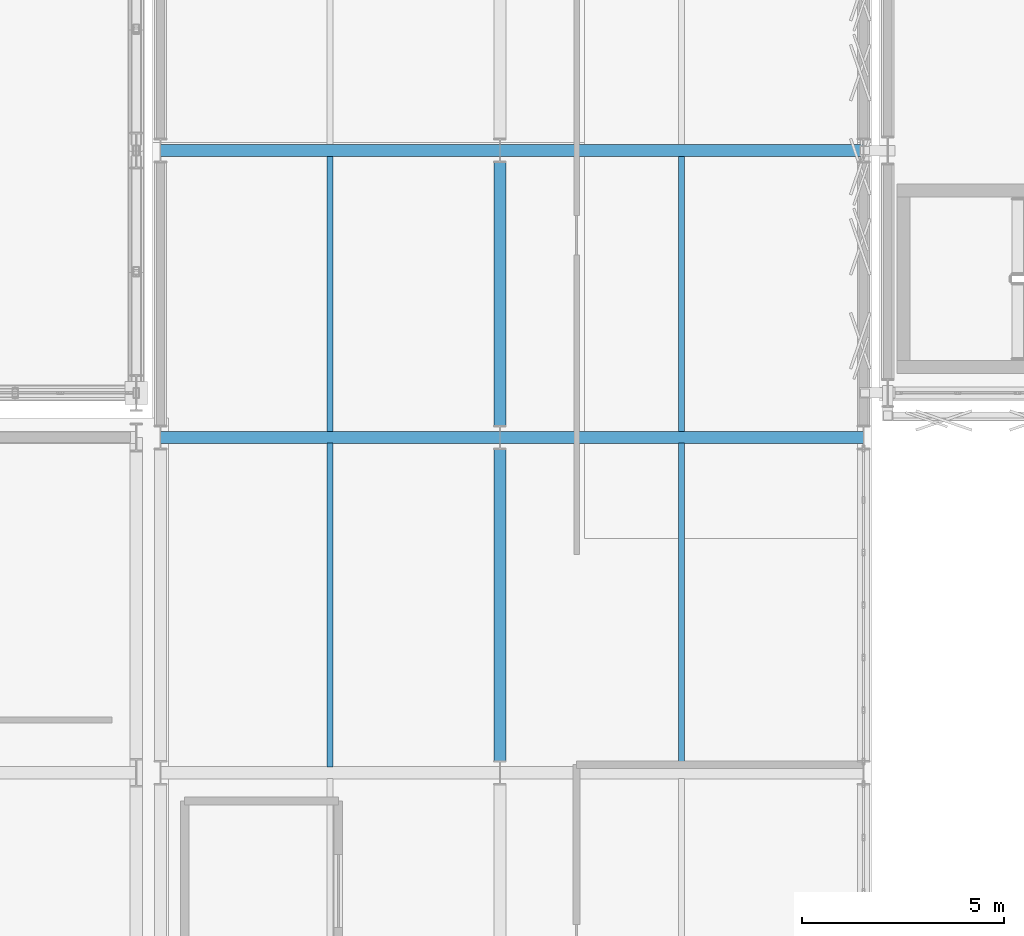
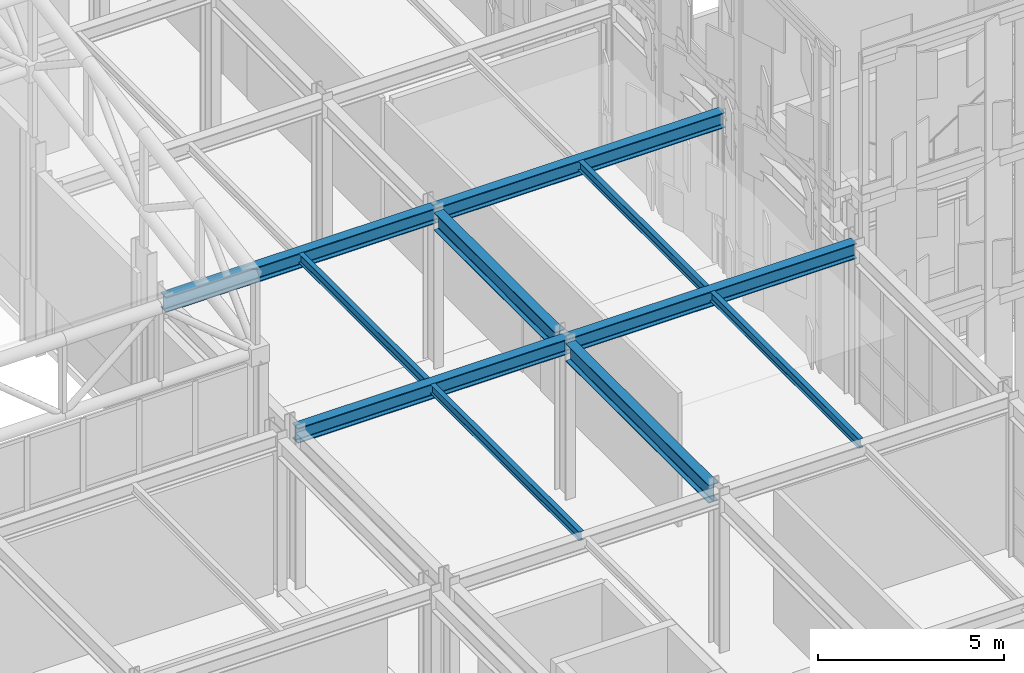
# One storey, part 155 of 239: 10 beams.
"""IFC4 building model written with IfcOpenShell, lengths in metres."""

from ifc_helpers import new_model, si_unit, direction, frame, origin, origin_2d, place, context, subcontext, project, spatial, i_section, extrude, material, material_profile, profile_set, type_object, element, save


model = new_model("IFC4")

# Units and contexts
model_context = context("Model", 3, precision=1e-05, world=origin(), true_north=direction((0.0, 1.0)))
body_context = subcontext(model_context, "Body", "Model", "MODEL_VIEW")
ifc_project = project(units=[si_unit("LENGTHUNIT", "METRE"), si_unit("AREAUNIT", "SQUARE_METRE"), si_unit("VOLUMEUNIT", "CUBIC_METRE"), si_unit("PLANEANGLEUNIT", "RADIAN"), si_unit("MASSUNIT", "GRAM", prefix="KILO")], contexts=[model_context])

# Site, building, storey
site_placement = place(None, origin())
site = spatial("IfcSite", under=ifc_project, at=site_placement, CompositionType="ELEMENT")
building_placement = place(site_placement, origin())
building = spatial("IfcBuilding", under=site, at=building_placement, Name="Kaldris Quays Convention Centre", CompositionType="ELEMENT")
storey_placement = place(building_placement, frame((0.0, 0.0, 11.39990234375)))
storey = spatial("IfcBuildingStorey", under=building, at=storey_placement, Name="L02", CompositionType="ELEMENT", Elevation=11.39990234375)

# Beams
ifc_material = material(Name="Steel S355J2", Category="steel")
ifc_material_profile_1 = material_profile(ifc_material, i_section(OverallWidth=0.300048828125, OverallDepth=0.5, WebThickness=0.014404296875, FlangeThickness=0.028076171875, FilletRadius=0.027099609375, at=origin_2d()), Name="HEB 500")
ifc_profile_set_1 = profile_set([ifc_material_profile_1], Name="Steel S355J2")
beam_type_1 = type_object("IfcBeamType", Name="STRUCTURAL BEAM BM06", PredefinedType="BEAM", material=ifc_profile_set_1)
beam_1_placement = place(storey_placement, frame((146.601806640625, 54.89990234375, 4.9130859375), z_axis=(1.0, 0.0, 0.0), x_axis=(0.0, 1.0, 0.0)))
element("IfcBeam", 1, at=beam_1_placement, inside=storey, type_object=beam_type_1, Name="L02 Girder BM06 26", PredefinedType="BEAM", context=body_context, shape_type="SweptSolid", body=[
    extrude(i_section(OverallWidth=0.300048828125, OverallDepth=0.5, WebThickness=0.014404296875, FlangeThickness=0.028076171875, FilletRadius=0.027099609375, at=origin_2d()), origin(), (0.0, 0.0, 1.0), 8.396484375),
])
beam_2_placement = place(storey_placement, frame((155.001708984375, 54.89990234375, 4.9130859375), z_axis=(1.0, 0.0, 0.0), x_axis=(0.0, 1.0, 0.0)))
element("IfcBeam", 2, at=beam_2_placement, inside=storey, type_object=beam_type_1, Name="L02 Girder BM06 27", PredefinedType="BEAM", context=body_context, shape_type="SweptSolid", body=[
    extrude(i_section(OverallWidth=0.300048828125, OverallDepth=0.5, WebThickness=0.014404296875, FlangeThickness=0.028076171875, FilletRadius=0.027099609375, at=origin_2d()), origin(), (0.0, 0.0, 1.0), 8.99658203125),
])
beam_3_placement = place(storey_placement, frame((146.601806640625, 62.0, 4.9130859375), z_axis=(1.0, 0.0, 0.0), x_axis=(0.0, 1.0, 0.0)))
element("IfcBeam", 3, at=beam_3_placement, inside=storey, type_object=beam_type_1, Name="L02 Girder BM06 28", PredefinedType="BEAM", context=body_context, shape_type="SweptSolid", body=[
    extrude(i_section(OverallWidth=0.300048828125, OverallDepth=0.5, WebThickness=0.014404296875, FlangeThickness=0.028076171875, FilletRadius=0.027099609375, at=origin_2d()), origin(), (0.0, 0.0, 1.0), 8.396484375),
])
beam_4_placement = place(storey_placement, frame((155.001708984375, 62.0, 4.9130859375), z_axis=(1.0, 0.0, 0.0), x_axis=(0.0, 1.0, 0.0)))
element("IfcBeam", 4, at=beam_4_placement, inside=storey, type_object=beam_type_1, Name="L02 Girder BM06 29", PredefinedType="BEAM", context=body_context, shape_type="SweptSolid", body=[
    extrude(i_section(OverallWidth=0.300048828125, OverallDepth=0.5, WebThickness=0.014404296875, FlangeThickness=0.028076171875, FilletRadius=0.027099609375, at=origin_2d()), origin(), (0.0, 0.0, 1.0), 8.99658203125),
])
ifc_material_profile_2 = material_profile(ifc_material, i_section(OverallWidth=0.300048828125, OverallDepth=0.590087890625, WebThickness=0.012939453125, FlangeThickness=0.02490234375, FilletRadius=0.027099609375, at=origin_2d()), Name="HEA 600")
ifc_profile_set_2 = profile_set([ifc_material_profile_2], Name="Steel S355J2")
beam_type_2 = type_object("IfcBeamType", Name="STRUCTURAL BEAM BM08", PredefinedType="BEAM", material=ifc_profile_set_2)
beam_5_placement = place(storey_placement, frame((155.0, 46.89404296875, 4.8681640625), z_axis=(0.0, 1.0, 0.0), x_axis=(-1.0, 0.0, 0.0)))
element("IfcBeam", 5, at=beam_5_placement, inside=storey, type_object=beam_type_2, Name="L02 Girder BM08 79", PredefinedType="BEAM", context=body_context, shape_type="SweptSolid", body=[
    extrude(i_section(OverallWidth=0.300048828125, OverallDepth=0.590087890625, WebThickness=0.012939453125, FlangeThickness=0.02490234375, FilletRadius=0.027099609375, at=origin_2d()), origin(), (0.0, 0.0, 1.0), 7.7119140625),
])
beam_6_placement = place(storey_placement, frame((155.0, 55.194091796875, 4.8681640625), z_axis=(0.0, 1.0, 0.0), x_axis=(-1.0, 0.0, 0.0)))
element("IfcBeam", 6, at=beam_6_placement, inside=storey, type_object=beam_type_2, Name="L02 Girder BM08 80", PredefinedType="BEAM", context=body_context, shape_type="SweptSolid", body=[
    extrude(i_section(OverallWidth=0.300048828125, OverallDepth=0.590087890625, WebThickness=0.012939453125, FlangeThickness=0.02490234375, FilletRadius=0.027099609375, at=origin_2d()), origin(), (0.0, 0.0, 1.0), 6.511962890625),
])
ifc_material_profile_3 = material_profile(ifc_material, i_section(OverallWidth=0.14990234375, OverallDepth=0.300048828125, WebThickness=0.007080078125, FlangeThickness=0.0107421875, FilletRadius=0.014892578125, at=origin_2d()), Name="IPE 300")
ifc_profile_set_3 = profile_set([ifc_material_profile_3], Name="Steel S355J2")
beam_type_3 = type_object("IfcBeamType", Name="STRUCTURAL BEAM JT04", PredefinedType="JOIST", material=ifc_profile_set_3)
for number, where, z_axis, x_axis, name in (
    (7, (150.800048828125, 46.743896484375, 5.01318359375), (0.0, 1.0, 0.0), (-1.0, 0.0, 0.0), "L02 Secondary Joist JT04 10"),
    (8, (159.5, 46.743896484375, 5.01318359375), (0.0, 1.0, 0.0), (-1.0, 0.0, 0.0), "L02 Secondary Joist JT04 11"),
):
    element("IfcBeam", number, at=place(storey_placement, frame(where, z_axis=z_axis, x_axis=x_axis)), inside=storey, type_object=beam_type_3, Name=name, PredefinedType="JOIST", context=body_context, shape_type="SweptSolid", body=[
        extrude(i_section(OverallWidth=0.14990234375, OverallDepth=0.300048828125, WebThickness=0.007080078125, FlangeThickness=0.0107421875, FilletRadius=0.014892578125, at=origin_2d()), origin(), (0.0, 0.0, 1.0), 8.01220703125),
    ])
for number, where, z_axis, x_axis, name in (
    (9, (150.800048828125, 55.0439453125, 5.01318359375), (0.0, 1.0, 0.0), (-1.0, 0.0, 0.0), "L02 Secondary Joist JT04 12"),
    (10, (159.5, 55.0439453125, 5.01318359375), (0.0, 1.0, 0.0), (-1.0, 0.0, 0.0), "L02 Secondary Joist JT04 13"),
):
    element("IfcBeam", number, at=place(storey_placement, frame(where, z_axis=z_axis, x_axis=x_axis)), inside=storey, type_object=beam_type_3, Name=name, PredefinedType="JOIST", context=body_context, shape_type="SweptSolid", body=[
        extrude(i_section(OverallWidth=0.14990234375, OverallDepth=0.300048828125, WebThickness=0.007080078125, FlangeThickness=0.0107421875, FilletRadius=0.014892578125, at=origin_2d()), origin(), (0.0, 0.0, 1.0), 6.81201171875),
    ])

save(model, "model.ifc")
